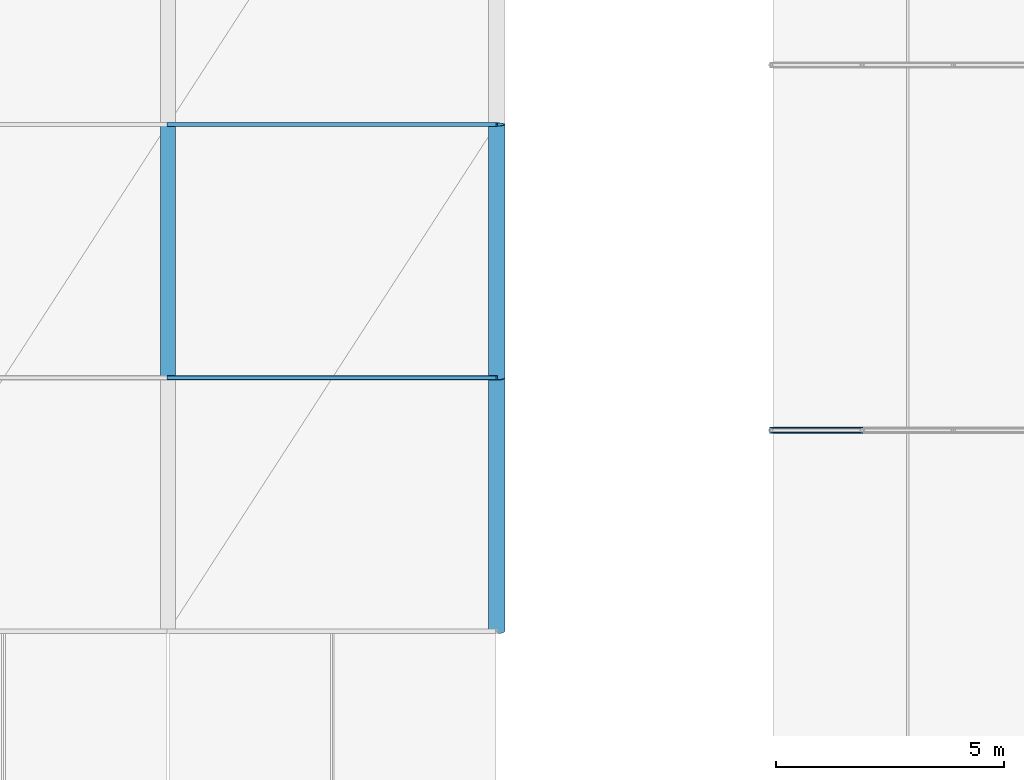
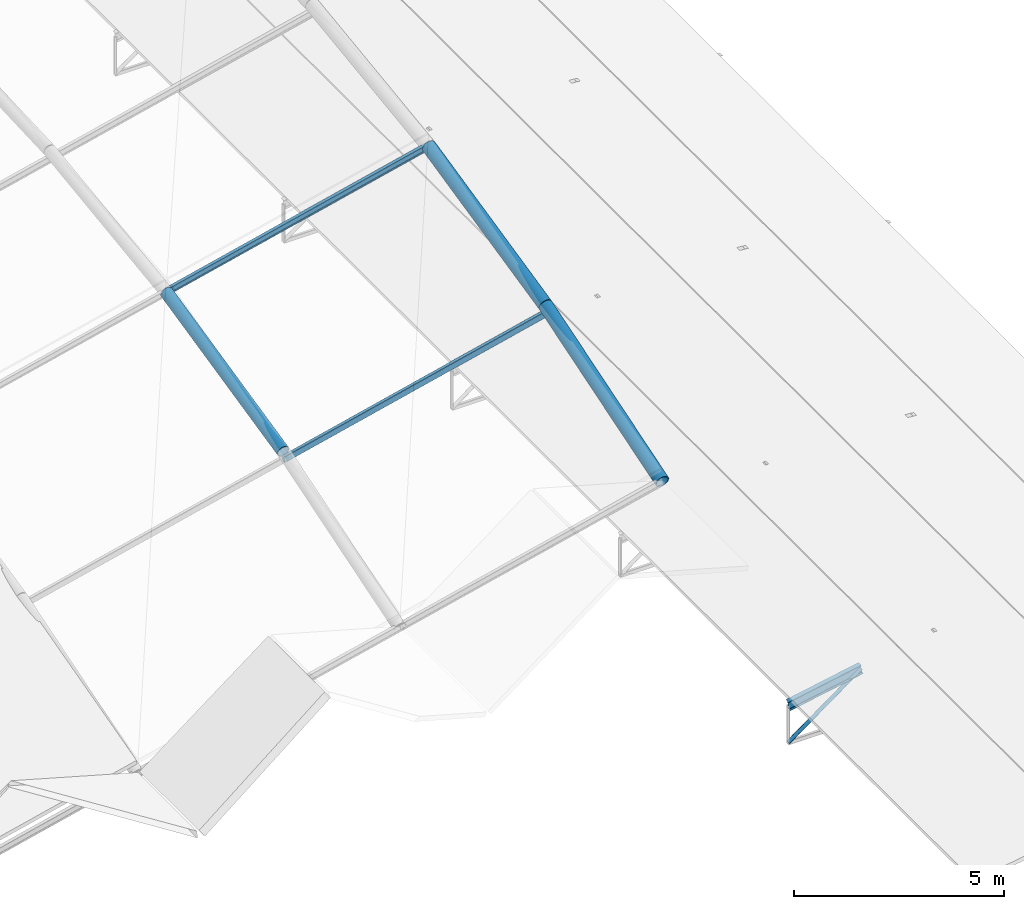
# One storey, part 4 of 54: 7 members.
"""IFC4 building model written with IfcOpenShell, lengths in metres."""

from ifc_helpers import new_model, si_unit, derived_unit, direction, frame, origin, origin_2d, place, context, subcontext, project, spatial, hollow_rectangle, hollow_circle, i_section, extrude, material, material_profile, profile_set, type_object, element, save


model = new_model("IFC4")

# Units and contexts
model_context = context("Model", 3, precision=1e-05, world=origin(), true_north=direction((0.0, 1.0)))
body_context = subcontext(model_context, "Body", "Model", "MODEL_VIEW")
ifc_project = project(units=[si_unit("LENGTHUNIT", "METRE"), si_unit("AREAUNIT", "SQUARE_METRE"), si_unit("VOLUMEUNIT", "CUBIC_METRE"), si_unit("PLANEANGLEUNIT", "RADIAN"), si_unit("MASSUNIT", "GRAM", prefix="KILO"), derived_unit("THERMALTRANSMITTANCEUNIT", [(si_unit("POWERUNIT", "WATT"), 1), (si_unit("LENGTHUNIT", "METRE"), -2), (si_unit("THERMODYNAMICTEMPERATUREUNIT", "KELVIN"), -1)])], contexts=[model_context])

# Site, building, storey
site_placement = place(None, origin())
site = spatial("IfcSite", under=ifc_project, at=site_placement, CompositionType="ELEMENT")
building_placement = place(site_placement, origin())
building = spatial("IfcBuilding", under=site, at=building_placement, Name="Keldorne Ridge Multi-Sports Centre", CompositionType="ELEMENT")
storey_placement = place(building_placement, frame((0.0, 0.0, 22.199951171875)))
storey = spatial("IfcBuildingStorey", under=building, at=storey_placement, Name="ROOF", CompositionType="ELEMENT", Elevation=22.199951171875)

# Members
ifc_material = material(Name="Steel S355", Category="steel")
ifc_material_profile_1 = material_profile(ifc_material, i_section(OverallWidth=0.091064453125, OverallDepth=0.179931640625, WebThickness=0.00537109375, FlangeThickness=0.008056640625, FilletRadius=0.009033203125, at=origin_2d()), Name="IPE 180")
ifc_profile_set_1 = profile_set([ifc_material_profile_1], Name="Steel S355")
member_type_1 = type_object("IfcMemberType", Name="MEM-PR-02", PredefinedType="PURLIN", material=ifc_profile_set_1)
member_1_placement = place(storey_placement, frame((70.800048828125, 20.699951171875, -0.079833984375), z_axis=(0.972632545932, 0.0, 0.232348726259), x_axis=(0.0, 1.0, 0.0)))
element("IfcMember", 1, at=member_1_placement, inside=storey, type_object=member_type_1, Name="Main Hall roof purlin 10.3", PredefinedType="PURLIN", context=body_context, shape_type="SweptSolid", body=[
    extrude(i_section(OverallWidth=0.091064453125, OverallDepth=0.179931640625, WebThickness=0.00537109375, FlangeThickness=0.008056640625, FilletRadius=0.009033203125, at=origin_2d()), origin(), (0.0, 0.0, 1.0), 7.402587890625),
])
ifc_material_profile_2 = material_profile(ifc_material, hollow_rectangle(XDim=0.10009765625, YDim=0.179931640625, WallThickness=0.008056640625, InnerFilletRadius=0.008056640625, OuterFilletRadius=0.01611328125, at=origin_2d()), Name="RHS 180x100x8")
ifc_profile_set_2 = profile_set([ifc_material_profile_2], Name="Steel S355")
member_type_2 = type_object("IfcMemberType", Name="MEM-PR-04", PredefinedType="PURLIN", material=ifc_profile_set_2)
member_2_placement = place(storey_placement, frame((70.800048828125, 15.14990234375, -1.579833984375), z_axis=(0.972632545932, 0.0, 0.232348726259), x_axis=(0.0, 1.0, 0.0)))
element("IfcMember", 2, at=member_2_placement, inside=storey, type_object=member_type_2, Name="Main Hall roof purlin 10.2", PredefinedType="PURLIN", context=body_context, shape_type="SweptSolid", body=[
    extrude(hollow_rectangle(XDim=0.10009765625, YDim=0.179931640625, WallThickness=0.008056640625, InnerFilletRadius=0.008056640625, OuterFilletRadius=0.01611328125, at=origin_2d()), origin(), (0.0, 0.0, 1.0), 7.402587890625),
])
ifc_material_profile_3 = material_profile(ifc_material, i_section(OverallWidth=0.135009765625, OverallDepth=0.27001953125, WebThickness=0.006591796875, FlangeThickness=0.01025390625, FilletRadius=0.014892578125, at=origin_2d()), Name="IPE 270")
ifc_profile_set_3 = profile_set([ifc_material_profile_3], Name="Steel S355")
member_type_3 = type_object("IfcMemberType", Name="MEM-RF-02", PredefinedType="RAFTER", material=ifc_profile_set_3)
member_3_placement = place(storey_placement, frame((84.0, 14.0, -12.639892578125), z_axis=(0.982435006317, 0.0, 0.186605086649), x_axis=(0.0, 1.0, 0.0)))
element("IfcMember", 3, at=member_3_placement, inside=storey, type_object=member_type_3, Name="Public Passage bowstring arch top chord 02.1", PredefinedType="RAFTER", context=body_context, shape_type="SweptSolid", body=[
    extrude(i_section(OverallWidth=0.135009765625, OverallDepth=0.27001953125, WebThickness=0.006591796875, FlangeThickness=0.01025390625, FilletRadius=0.014892578125, at=origin_2d()), origin(), (0.0, 0.0, 1.0), 2.03564453125),
])
ifc_material_profile_4 = material_profile(ifc_material, hollow_circle(Radius=0.177734375, WallThickness=0.01611328125, at=origin_2d()), Name="CHS 355.6x16")
ifc_profile_set_4 = profile_set([ifc_material_profile_4], Name="Steel S355")
member_type_4 = type_object("IfcMemberType", Name="MEM-TC-01", PredefinedType="CHORD", material=ifc_profile_set_4)
member_4_placement = place(storey_placement, frame((78.0, 9.60009765625, -1.3798828125), z_axis=(0.0, 0.953709395146, 0.300729761763), x_axis=(-1.0, 0.0, 0.0)))
element("IfcMember", 4, at=member_4_placement, inside=storey, type_object=member_type_4, Name="Main Hall ROOF TRUSS AT-11 top chord 1", PredefinedType="CHORD", context=body_context, shape_type="SweptSolid", body=[
    extrude(hollow_circle(Radius=0.177734375, WallThickness=0.01611328125, at=origin_2d()), origin(), (0.0, 0.0, 1.0), 5.819091796875),
])
member_5_placement = place(storey_placement, frame((78.0, 15.14990234375, 0.3701171875), z_axis=(0.0, 0.975563092904, 0.219719484259), x_axis=(-1.0, 0.0, 0.0)))
element("IfcMember", 5, at=member_5_placement, inside=storey, type_object=member_type_4, Name="Main Hall ROOF TRUSS AT-11 top chord 2", PredefinedType="CHORD", context=body_context, shape_type="SweptSolid", body=[
    extrude(hollow_circle(Radius=0.177734375, WallThickness=0.01611328125, at=origin_2d()), origin(), (0.0, 0.0, 1.0), 5.68896484375),
])
ifc_material_profile_5 = material_profile(ifc_material, hollow_circle(Radius=0.161865234375, WallThickness=0.01611328125, at=origin_2d()), Name="CHS 323.9x16")
ifc_profile_set_5 = profile_set([ifc_material_profile_5], Name="Steel S355")
member_type_5 = type_object("IfcMemberType", Name="MEM-TC-02", PredefinedType="CHORD", material=ifc_profile_set_5)
member_6_placement = place(storey_placement, frame((70.800048828125, 15.14990234375, -1.349853515625), z_axis=(0.0, 0.975563092904, 0.219719484259), x_axis=(-1.0, 0.0, 0.0)))
element("IfcMember", 6, at=member_6_placement, inside=storey, type_object=member_type_5, Name="Main Hall ROOF TRUSS AT-10 top chord 2", PredefinedType="CHORD", context=body_context, shape_type="SweptSolid", body=[
    extrude(hollow_circle(Radius=0.161865234375, WallThickness=0.01611328125, at=origin_2d()), origin(), (0.0, 0.0, 1.0), 5.68896484375),
])
ifc_material_profile_6 = material_profile(ifc_material, hollow_circle(Radius=0.05078125, WallThickness=0.00634765625, at=origin_2d()), Name="CHS 101.6x6.3")
ifc_profile_set_6 = profile_set([ifc_material_profile_6], Name="Steel S355")
member_type_6 = type_object("IfcMemberType", Name="MEM-TD-05", PredefinedType="BRACE", material=ifc_profile_set_6)
member_7_placement = place(storey_placement, frame((84.0, 14.0, -13.719970703125), z_axis=(0.8076945033, 0.0, 0.589601212125), x_axis=(0.0, 1.0, 0.0)))
element("IfcMember", 7, at=member_7_placement, inside=storey, type_object=member_type_6, Name="Public Passage bowstring web diagonal 02.1", PredefinedType="BRACE", context=body_context, shape_type="SweptSolid", body=[
    extrude(hollow_circle(Radius=0.05078125, WallThickness=0.00634765625, at=origin_2d()), origin(), (0.0, 0.0, 1.0), 2.47607421875),
])

save(model, "model.ifc")
